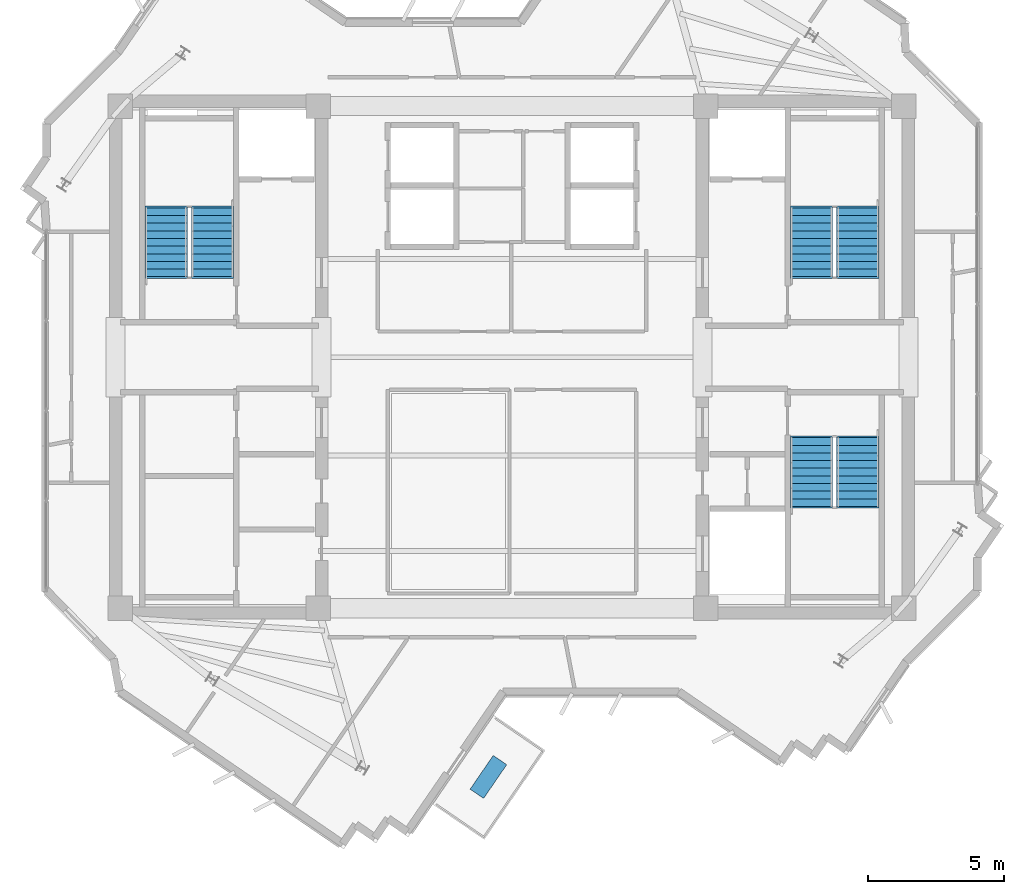
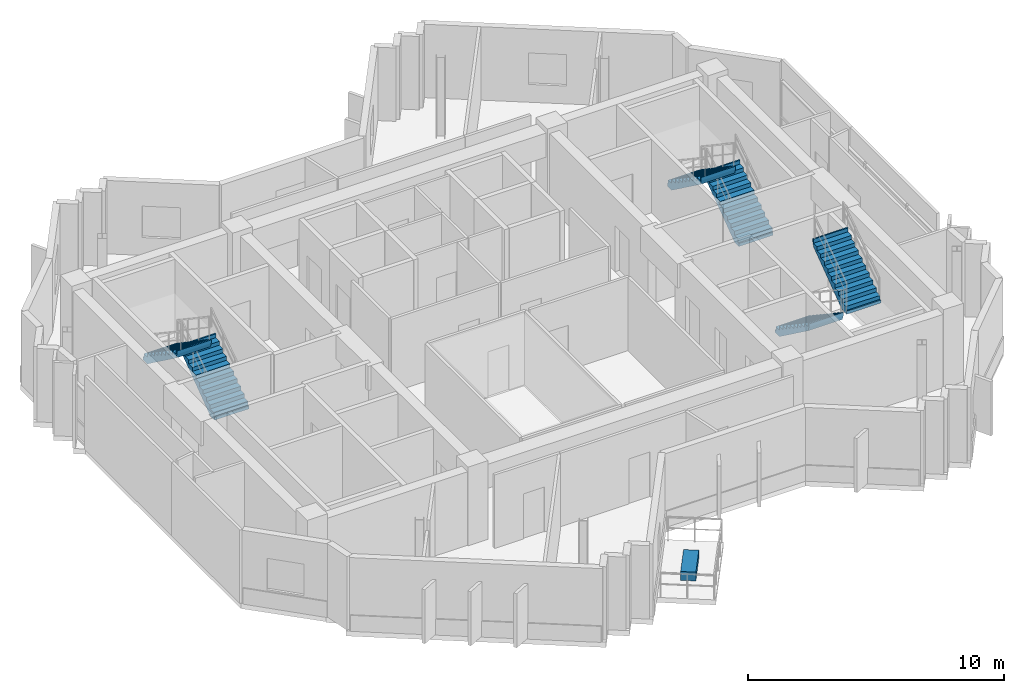
# One storey, part 9 of 11: 6 stair flights, 1 discrete accessory, 3 elements without a shape of their own.
"""IFC4 building model written with IfcOpenShell, lengths in metres."""

from ifc_helpers import new_model, si_unit, direction, frame, origin, origin_2d, place, context, subcontext, project, spatial, polyline, rectangle, outline, extrude, source, transform, mapped, material, type_object, element, aggregate, save


model = new_model("IFC4")

# Units and contexts
model_context = context("Model", 3, precision=1e-05, world=origin(), true_north=direction((0.0, 1.0)))
body_context = subcontext(model_context, "Body", "Model", "MODEL_VIEW")
ifc_project = project(units=[si_unit("LENGTHUNIT", "METRE"), si_unit("AREAUNIT", "SQUARE_METRE"), si_unit("VOLUMEUNIT", "CUBIC_METRE"), si_unit("PLANEANGLEUNIT", "RADIAN"), si_unit("MASSUNIT", "GRAM", prefix="KILO")], contexts=[model_context])

# Site, building, storey
site_placement = place(None, origin())
site = spatial("IfcSite", under=ifc_project, at=site_placement, CompositionType="ELEMENT")
building_placement = place(site_placement, origin())
building = spatial("IfcBuilding", under=site, at=building_placement, Name="Zahravan Cultural Tower", CompositionType="ELEMENT")
storey_placement = place(building_placement, frame((0.0, 0.0, 331.050048828125)))
storey = spatial("IfcBuildingStorey", under=building, at=storey_placement, Name="L80", CompositionType="ELEMENT", Elevation=331.050048828125)

# Stair, stair flights
ifc_material_1 = material(Name="Concrete C45/55", Category="concrete")
stair_type = type_object("IfcStairType", Name="STR-DL-1550-375", PredefinedType="HALF_TURN_STAIR", material=ifc_material_1)
stair_1_placement = place(storey_placement, origin())
stair_1 = element("IfcStair", 1, at=stair_1_placement, inside=storey, type_object=stair_type, Name="L80 West Core North Exit Stair ST-W1", PredefinedType="HALF_TURN_STAIR")
stair_flight_type = type_object("IfcStairFlightType", Name="FLG-DL-1550-375", PredefinedType="STRAIGHT", material=ifc_material_1)
stair_flight_1_placement = place(storey_placement, frame((25.02490234375, 29.949951171875, 0.0), z_axis=(0.0, 0.0, 1.0), x_axis=(0.0, 1.0, 0.0)))
stair_flight_1 = element("IfcStairFlight", 2, at=stair_flight_1_placement, type_object=stair_flight_type, Name="ST-W1 flight 1", NumberOfRisers=10, NumberOfTreads=9, PredefinedType="STRAIGHT", RiserHeight=0.1875, TreadLength=0.28, context=body_context, shape_type="SweptSolid", body=[
    extrude(outline(polyline([(-0.06494140625, -0.139892578125), (-0.06494140625, 0.0), (0.0, 0.0), (0.0, 0.1875), (0.280029296875, 0.1875), (0.280029296875, 0.375), (0.56005859375, 0.375), (0.56005859375, 0.5625), (0.840087890625, 0.5625), (0.840087890625, 0.75), (1.1201171875, 0.75), (1.1201171875, 0.9375), (1.39990234375, 0.9375), (1.39990234375, 1.125), (1.679931640625, 1.125), (1.679931640625, 1.3125), (1.9599609375, 1.3125), (1.9599609375, 1.5), (2.239990234375, 1.5), (2.239990234375, 1.6875), (2.52001953125, 1.6875), (2.52001953125, 1.875), (2.5849609375, 1.875), (2.5849609375, 1.72509765625), (2.52001953125, 1.507080078125), (0.26953125, -0.139892578125), (-0.06494140625, -0.139892578125)])), frame((0.0, 0.77490234375, 0.0), z_axis=(0.0, -1.0, 0.0), x_axis=(1.0, 0.0, 0.0)), (0.0, 0.0, 1.0), 1.550048828125),
])
stair_flight_2_placement = place(storey_placement, frame((23.324951171875, 32.469970703125, 1.875), z_axis=(0.0, 0.0, 1.0), x_axis=(0.0, -1.0, 0.0)))
stair_flight_2 = element("IfcStairFlight", 3, at=stair_flight_2_placement, type_object=stair_flight_type, Name="ST-W1 flight 2", NumberOfRisers=10, NumberOfTreads=9, PredefinedType="STRAIGHT", RiserHeight=0.1875, TreadLength=0.28, context=body_context, shape_type="SweptSolid", body=[
    extrude(outline(polyline([(-0.06494140625, -0.139892578125), (-0.06494140625, 0.0), (0.0, 0.0), (0.0, 0.1875), (0.280029296875, 0.1875), (0.280029296875, 0.375), (0.56005859375, 0.375), (0.56005859375, 0.5625), (0.840087890625, 0.5625), (0.840087890625, 0.75), (1.1201171875, 0.75), (1.1201171875, 0.9375), (1.39990234375, 0.9375), (1.39990234375, 1.125), (1.679931640625, 1.125), (1.679931640625, 1.3125), (1.9599609375, 1.3125), (1.9599609375, 1.5), (2.239990234375, 1.5), (2.239990234375, 1.6875), (2.52001953125, 1.6875), (2.52001953125, 1.875), (2.5849609375, 1.875), (2.5849609375, 1.72509765625), (2.52001953125, 1.507080078125), (0.26953125, -0.139892578125), (-0.06494140625, -0.139892578125)])), frame((0.0, 0.77490234375, 0.0), z_axis=(0.0, -1.0, 0.0), x_axis=(1.0, 0.0, 0.0)), (0.0, 0.0, 1.0), 1.550048828125),
])
aggregate(stair_1, [stair_flight_1, stair_flight_2])

stair_2_placement = place(storey_placement, origin())
stair_2 = element("IfcStair", 4, at=stair_2_placement, inside=storey, type_object=stair_type, Name="L80 East Core North Exit Stair ST-E1", PredefinedType="HALF_TURN_STAIR")
stair_flight_3_placement = place(storey_placement, frame((48.675048828125, 29.949951171875, 0.0), z_axis=(0.0, 0.0, 1.0), x_axis=(0.0, 1.0, 0.0)))
stair_flight_3 = element("IfcStairFlight", 5, at=stair_flight_3_placement, type_object=stair_flight_type, Name="ST-E1 flight 1", NumberOfRisers=10, NumberOfTreads=9, PredefinedType="STRAIGHT", RiserHeight=0.1875, TreadLength=0.28, context=body_context, shape_type="SweptSolid", body=[
    extrude(outline(polyline([(-0.06494140625, -0.139892578125), (-0.06494140625, 0.0), (0.0, 0.0), (0.0, 0.1875), (0.280029296875, 0.1875), (0.280029296875, 0.375), (0.56005859375, 0.375), (0.56005859375, 0.5625), (0.840087890625, 0.5625), (0.840087890625, 0.75), (1.1201171875, 0.75), (1.1201171875, 0.9375), (1.39990234375, 0.9375), (1.39990234375, 1.125), (1.679931640625, 1.125), (1.679931640625, 1.3125), (1.9599609375, 1.3125), (1.9599609375, 1.5), (2.239990234375, 1.5), (2.239990234375, 1.6875), (2.52001953125, 1.6875), (2.52001953125, 1.875), (2.5849609375, 1.875), (2.5849609375, 1.72509765625), (2.52001953125, 1.507080078125), (0.26953125, -0.139892578125), (-0.06494140625, -0.139892578125)])), frame((0.0, 0.77490234375, 0.0), z_axis=(0.0, -1.0, 0.0), x_axis=(1.0, 0.0, 0.0)), (0.0, 0.0, 1.0), 1.550048828125),
])
stair_flight_4_placement = place(storey_placement, frame((46.97509765625, 32.469970703125, 1.875), z_axis=(0.0, 0.0, 1.0), x_axis=(0.0, -1.0, 0.0)))
stair_flight_4 = element("IfcStairFlight", 6, at=stair_flight_4_placement, type_object=stair_flight_type, Name="ST-E1 flight 2", NumberOfRisers=10, NumberOfTreads=9, PredefinedType="STRAIGHT", RiserHeight=0.1875, TreadLength=0.28, context=body_context, shape_type="SweptSolid", body=[
    extrude(outline(polyline([(-0.06494140625, -0.139892578125), (-0.06494140625, 0.0), (0.0, 0.0), (0.0, 0.1875), (0.280029296875, 0.1875), (0.280029296875, 0.375), (0.56005859375, 0.375), (0.56005859375, 0.5625), (0.840087890625, 0.5625), (0.840087890625, 0.75), (1.1201171875, 0.75), (1.1201171875, 0.9375), (1.39990234375, 0.9375), (1.39990234375, 1.125), (1.679931640625, 1.125), (1.679931640625, 1.3125), (1.9599609375, 1.3125), (1.9599609375, 1.5), (2.239990234375, 1.5), (2.239990234375, 1.6875), (2.52001953125, 1.6875), (2.52001953125, 1.875), (2.5849609375, 1.875), (2.5849609375, 1.72509765625), (2.52001953125, 1.507080078125), (0.26953125, -0.139892578125), (-0.06494140625, -0.139892578125)])), frame((0.0, 0.77490234375, 0.0), z_axis=(0.0, -1.0, 0.0), x_axis=(1.0, 0.0, 0.0)), (0.0, 0.0, 1.0), 1.550048828125),
])
aggregate(stair_2, [stair_flight_3, stair_flight_4])

stair_3_placement = place(storey_placement, origin())
stair_3 = element("IfcStair", 7, at=stair_3_placement, inside=storey, type_object=stair_type, Name="L80 East Core South Exit Stair ST-E2", PredefinedType="HALF_TURN_STAIR")
stair_flight_5_placement = place(storey_placement, frame((46.97509765625, 24.050048828125, 0.0), z_axis=(0.0, 0.0, 1.0), x_axis=(0.0, -1.0, 0.0)))
stair_flight_5 = element("IfcStairFlight", 8, at=stair_flight_5_placement, type_object=stair_flight_type, Name="ST-E2 flight 1", NumberOfRisers=10, NumberOfTreads=9, PredefinedType="STRAIGHT", RiserHeight=0.1875, TreadLength=0.28, context=body_context, shape_type="SweptSolid", body=[
    extrude(outline(polyline([(-0.06494140625, -0.139892578125), (-0.06494140625, 0.0), (0.0, 0.0), (0.0, 0.1875), (0.280029296875, 0.1875), (0.280029296875, 0.375), (0.56005859375, 0.375), (0.56005859375, 0.5625), (0.840087890625, 0.5625), (0.840087890625, 0.75), (1.1201171875, 0.75), (1.1201171875, 0.9375), (1.39990234375, 0.9375), (1.39990234375, 1.125), (1.679931640625, 1.125), (1.679931640625, 1.3125), (1.9599609375, 1.3125), (1.9599609375, 1.5), (2.239990234375, 1.5), (2.239990234375, 1.6875), (2.52001953125, 1.6875), (2.52001953125, 1.875), (2.5849609375, 1.875), (2.5849609375, 1.72509765625), (2.52001953125, 1.507080078125), (0.26953125, -0.139892578125), (-0.06494140625, -0.139892578125)])), frame((0.0, 0.77490234375, 0.0), z_axis=(0.0, -1.0, 0.0), x_axis=(1.0, 0.0, 0.0)), (0.0, 0.0, 1.0), 1.550048828125),
])
stair_flight_6_placement = place(storey_placement, frame((48.675048828125, 21.530029296875, 1.875), z_axis=(0.0, 0.0, 1.0), x_axis=(0.0, 1.0, 0.0)))
stair_flight_6 = element("IfcStairFlight", 9, at=stair_flight_6_placement, type_object=stair_flight_type, Name="ST-E2 flight 2", NumberOfRisers=10, NumberOfTreads=9, PredefinedType="STRAIGHT", RiserHeight=0.1875, TreadLength=0.28, context=body_context, shape_type="SweptSolid", body=[
    extrude(outline(polyline([(-0.06494140625, -0.139892578125), (-0.06494140625, 0.0), (0.0, 0.0), (0.0, 0.1875), (0.280029296875, 0.1875), (0.280029296875, 0.375), (0.56005859375, 0.375), (0.56005859375, 0.5625), (0.840087890625, 0.5625), (0.840087890625, 0.75), (1.1201171875, 0.75), (1.1201171875, 0.9375), (1.39990234375, 0.9375), (1.39990234375, 1.125), (1.679931640625, 1.125), (1.679931640625, 1.3125), (1.9599609375, 1.3125), (1.9599609375, 1.5), (2.239990234375, 1.5), (2.239990234375, 1.6875), (2.52001953125, 1.6875), (2.52001953125, 1.875), (2.5849609375, 1.875), (2.5849609375, 1.72509765625), (2.52001953125, 1.507080078125), (0.26953125, -0.139892578125), (-0.06494140625, -0.139892578125)])), frame((0.0, 0.77490234375, 0.0), z_axis=(0.0, -1.0, 0.0), x_axis=(1.0, 0.0, 0.0)), (0.0, 0.0, 1.0), 1.550048828125),
])
aggregate(stair_3, [stair_flight_5, stair_flight_6])

# Discrete accessory
ifc_material_2 = material(Name="Planted soil and terracotta planter", Category="masonry")
discrete_accessory_type = type_object("IfcDiscreteAccessoryType", Name="ACC-PLANTER-TC", PredefinedType="USERDEFINED", material=ifc_material_2)
shared_shape = source(origin(), body_context, "Body", "SweptSolid", [
    extrude(rectangle(XDim=1.5, YDim=0.60009765625, at=origin_2d()), origin(), (0.0, 0.0, 1.0), 0.419921875),
])
discrete_accessory_placement = place(storey_placement, frame((35.135986328125, 11.617919921875, 0.0), z_axis=(0.0, 0.0, 1.0), x_axis=(0.564967003425, 0.825113498278, 0.0)))
element("IfcDiscreteAccessory", 10, at=discrete_accessory_placement, inside=storey, type_object=discrete_accessory_type, Name="L80 Terracotta Sculpture Planter SW", ObjectType="PLANTER", PredefinedType="USERDEFINED", context=body_context, shape_type="MappedRepresentation", body=[
    mapped(shared_shape, transform((0.0, 0.0, 0.0), x_axis=(1.0, 0.0, 0.0), y_axis=(0.0, 1.0, 0.0), z_axis=(0.0, 0.0, 1.0), scale=1.0)),
])

save(model, "model.ifc")
